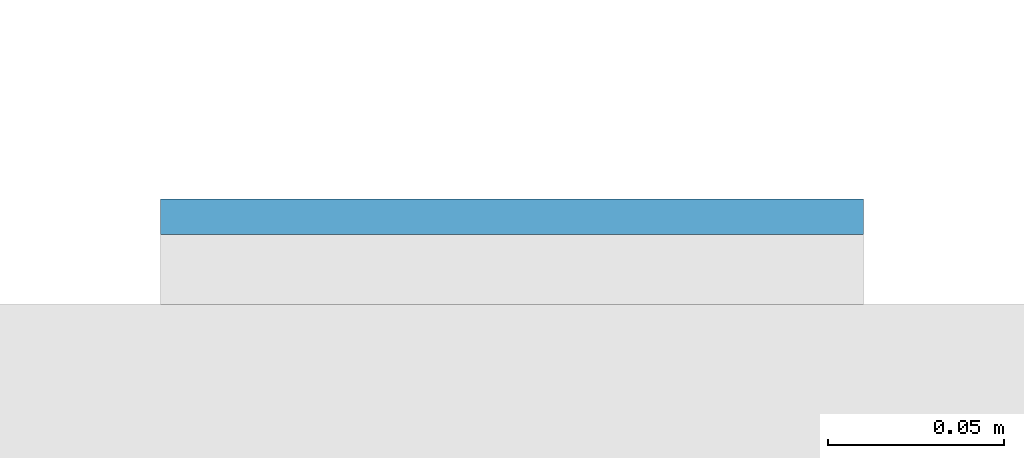
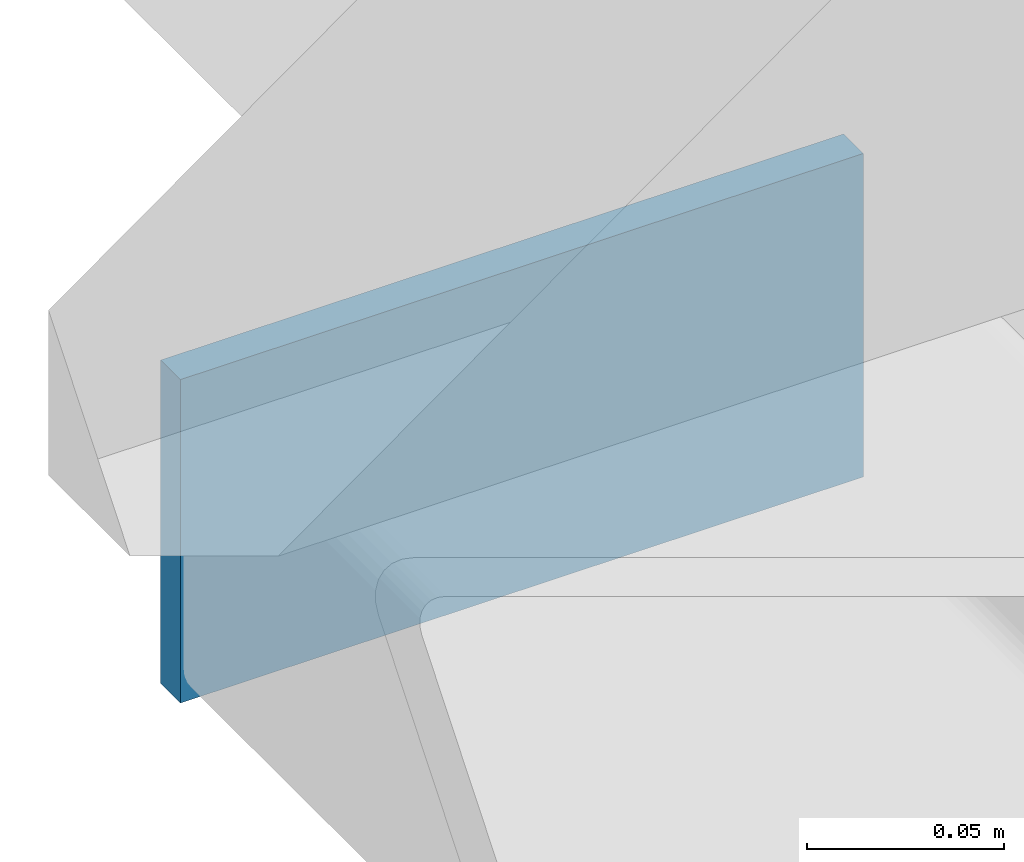
# One storey, part 9 of 20: 1 plate.
"""IFC4 building model written with IfcOpenShell, lengths in metres."""

from ifc_helpers import new_model, si_unit, direction, frame, origin, origin_2d, place, context, subcontext, project, spatial, rectangle, extrude, material, layer, layer_set, type_object, element, save


model = new_model("IFC4")

# Units and contexts
model_context = context("Model", 3, precision=1e-05, world=origin(), true_north=direction((0.0, 1.0)))
body_context = subcontext(model_context, "Body", "Model", "MODEL_VIEW")
ifc_project = project(units=[si_unit("LENGTHUNIT", "METRE"), si_unit("AREAUNIT", "SQUARE_METRE"), si_unit("VOLUMEUNIT", "CUBIC_METRE"), si_unit("PLANEANGLEUNIT", "RADIAN"), si_unit("MASSUNIT", "GRAM", prefix="KILO")], contexts=[model_context])

# Site, building, storey
site_placement = place(None, origin())
site = spatial("IfcSite", under=ifc_project, at=site_placement, CompositionType="ELEMENT")
building_placement = place(site_placement, origin())
building = spatial("IfcBuilding", under=site, at=building_placement, Name="Cleftline Residences", CompositionType="ELEMENT")
storey_placement = place(building_placement, frame((0.0, 0.0, 83.60009765625)))
storey = spatial("IfcBuildingStorey", under=building, at=storey_placement, Name="L21", CompositionType="ELEMENT", Elevation=83.60009765625)

# Plate
ifc_material = material(Name="Steel S355, hot-dip galvanised", Category="steel")
ifc_layer = layer(ifc_material, 0.010009765625)
ifc_layer_set = layer_set([ifc_layer], Name="BAGUETTE CARRIER END PLATE 200X100X10")
plate_type = type_object("IfcPlateType", Name="BAGUETTE CARRIER END PLATE 200X100X10", PredefinedType="USERDEFINED", material=ifc_layer_set)
plate_placement = place(storey_placement, frame((-0.85009765625, 44.304931640625, -0.10009765625), z_axis=(0.0, 0.0, 1.0), x_axis=(-1.0, 0.0, 0.0)))
element("IfcPlate", 1, at=plate_placement, inside=storey, type_object=plate_type, Name="Baguette carrier end plate", ObjectType="BAGUETTE CARRIER END PLATE", PredefinedType="USERDEFINED", context=body_context, shape_type="SweptSolid", body=[
    extrude(rectangle(XDim=0.199951171875, YDim=0.010009765625, at=origin_2d()), origin(), (0.0, 0.0, 1.0), 0.10009765625),
])

save(model, "model.ifc")
